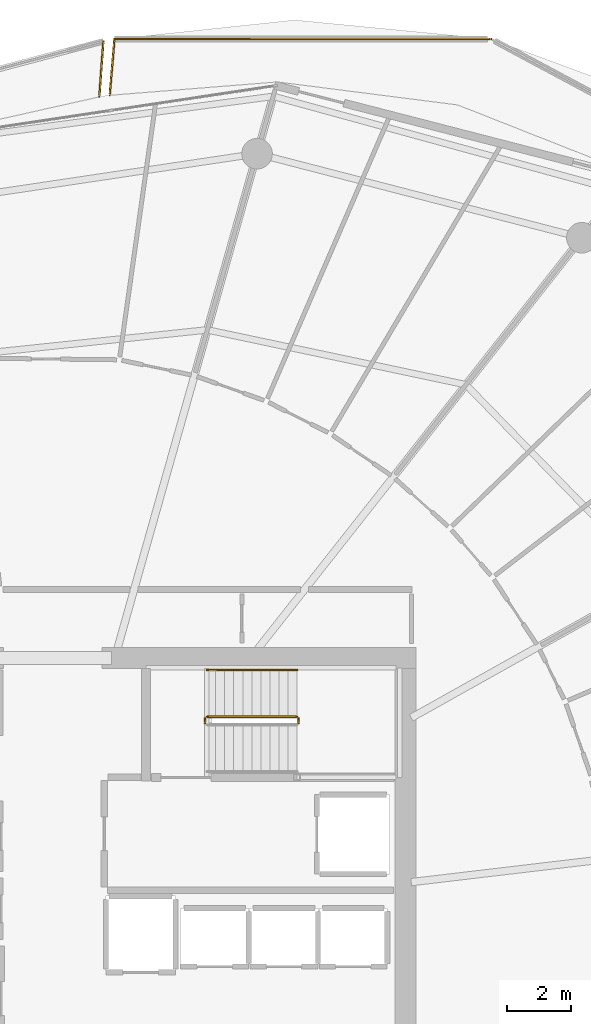
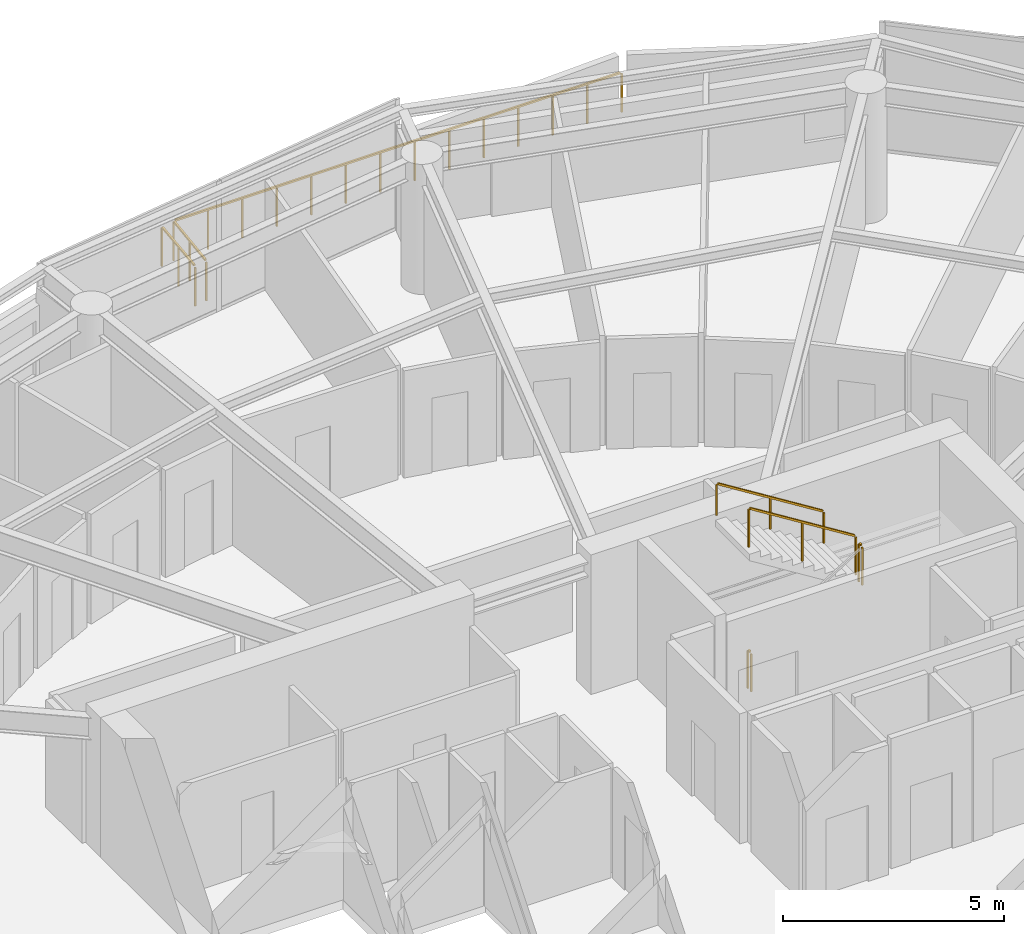
# One storey, part 29 of 30: 7 railings.
"""IFC4 building model written with IfcOpenShell, lengths in metres."""

from ifc_helpers import new_model, si_unit, direction, frame, origin, origin_2d, place, context, subcontext, project, spatial, rectangle, extrude, material, type_object, element, save


model = new_model("IFC4")

# Units and contexts
model_context = context("Model", 3, precision=1e-05, world=origin(), true_north=direction((0.0, 1.0)))
body_context = subcontext(model_context, "Body", "Model", "MODEL_VIEW")
ifc_project = project(units=[si_unit("LENGTHUNIT", "METRE"), si_unit("AREAUNIT", "SQUARE_METRE"), si_unit("VOLUMEUNIT", "CUBIC_METRE"), si_unit("PLANEANGLEUNIT", "RADIAN"), si_unit("MASSUNIT", "GRAM", prefix="KILO")], contexts=[model_context])

# Site, building, storey
site_placement = place(None, origin())
site = spatial("IfcSite", under=ifc_project, at=site_placement, CompositionType="ELEMENT")
building_placement = place(site_placement, origin())
building = spatial("IfcBuilding", under=site, at=building_placement, Name="Kazma Halo Residences", CompositionType="ELEMENT")
storey_placement = place(building_placement, frame((0.0, 0.0, 263.64990234375)))
storey = spatial("IfcBuildingStorey", under=building, at=storey_placement, Name="L66", CompositionType="ELEMENT", Elevation=263.64990234375)

# Railings
ifc_material_1 = material(Name="Aluminium AW-6063 T6 Brushed Cap Rail", Category="aluminium")
railing_type_1 = type_object("IfcRailingType", Name="RLG-BAL-CAP-1120", PredefinedType="BALUSTRADE", material=ifc_material_1)
railing_1_placement = place(storey_placement, frame((62.033447265625, 69.5419921875, 0.0)))
element("IfcRailing", 1, at=railing_1_placement, inside=storey, type_object=railing_type_1, Name="L66 NE wave balcony guard 3", PredefinedType="BALUSTRADE", context=body_context, shape_type="SweptSolid", body=[
    extrude(rectangle(XDim=0.050048828125, YDim=0.050048828125, at=origin_2d()), frame((-0.04248046875, 0.0, 1.09521484375), z_axis=(-0.999999921363, -0.000396576884, 0.0), x_axis=(0.000396576884, -0.999999921363, 0.0)), (0.0, 0.0, 1.0), 11.61181640625),
    extrude(rectangle(XDim=0.0400390625, YDim=0.0400390625, at=origin_2d()), origin(), (0.0, 0.0, 1.0), 1.05810546875),
    extrude(rectangle(XDim=0.0400390625, YDim=0.0400390625, at=origin_2d()), frame((-0.899658203125, -0.000244140625, 0.0)), (0.0, 0.0, 1.0), 1.05810546875),
    extrude(rectangle(XDim=0.0400390625, YDim=0.0400390625, at=origin_2d()), frame((-1.799560546875, -0.000732421875, 0.0)), (0.0, 0.0, 1.0), 1.05810546875),
    extrude(rectangle(XDim=0.0400390625, YDim=0.0400390625, at=origin_2d()), frame((-2.69921875, -0.0009765625, 0.0)), (0.0, 0.0, 1.0), 1.05810546875),
    extrude(rectangle(XDim=0.0400390625, YDim=0.0400390625, at=origin_2d()), frame((-3.59912109375, -0.00146484375, 0.0)), (0.0, 0.0, 1.0), 1.05810546875),
    extrude(rectangle(XDim=0.0400390625, YDim=0.0400390625, at=origin_2d()), frame((-4.498779296875, -0.001708984375, 0.0)), (0.0, 0.0, 1.0), 1.05810546875),
    extrude(rectangle(XDim=0.0400390625, YDim=0.0400390625, at=origin_2d()), frame((-5.3984375, -0.002197265625, 0.0)), (0.0, 0.0, 1.0), 1.05810546875),
    extrude(rectangle(XDim=0.0400390625, YDim=0.0400390625, at=origin_2d()), frame((-6.29833984375, -0.00244140625, 0.0)), (0.0, 0.0, 1.0), 1.05810546875),
    extrude(rectangle(XDim=0.0400390625, YDim=0.0400390625, at=origin_2d()), frame((-7.197998046875, -0.0029296875, 0.0)), (0.0, 0.0, 1.0), 1.05810546875),
    extrude(rectangle(XDim=0.0400390625, YDim=0.0400390625, at=origin_2d()), frame((-8.09765625, -0.003173828125, 0.0)), (0.0, 0.0, 1.0), 1.05810546875),
    extrude(rectangle(XDim=0.0400390625, YDim=0.0400390625, at=origin_2d()), frame((-8.99755859375, -0.003662109375, 0.0)), (0.0, 0.0, 1.0), 1.05810546875),
    extrude(rectangle(XDim=0.0400390625, YDim=0.0400390625, at=origin_2d()), frame((-9.897216796875, -0.00390625, 0.0)), (0.0, 0.0, 1.0), 1.05810546875),
    extrude(rectangle(XDim=0.0400390625, YDim=0.0400390625, at=origin_2d()), frame((-10.797119140625, -0.00439453125, 0.0)), (0.0, 0.0, 1.0), 1.05810546875),
    extrude(rectangle(XDim=0.0400390625, YDim=0.0400390625, at=origin_2d()), frame((-11.69677734375, -0.004638671875, 0.0)), (0.0, 0.0, 1.0), 1.05810546875),
])
railing_2_placement = place(storey_placement, frame((50.336669921875, 69.537353515625, 0.0)))
element("IfcRailing", 2, at=railing_2_placement, inside=storey, type_object=railing_type_1, Name="L66 NE wave balcony guard 4", PredefinedType="BALUSTRADE", context=body_context, shape_type="SweptSolid", body=[
    extrude(rectangle(XDim=0.050048828125, YDim=0.050048828125, at=origin_2d()), frame((-0.003662109375, -0.04248046875, 1.09521484375), z_axis=(-0.084569892868, -0.996417549635, 0.0), x_axis=(0.996417549635, -0.084569892868, 0.0)), (0.0, 0.0, 1.0), 1.664306640625),
    extrude(rectangle(XDim=0.0400390625, YDim=0.0400390625, at=origin_2d()), origin(), (0.0, 0.0, 1.0), 1.05810546875),
    extrude(rectangle(XDim=0.0400390625, YDim=0.0400390625, at=origin_2d()), frame((-0.073974609375, -0.87158203125, 0.0)), (0.0, 0.0, 1.0), 1.05810546875),
    extrude(rectangle(XDim=0.0400390625, YDim=0.0400390625, at=origin_2d()), frame((-0.14794921875, -1.7431640625, 0.0)), (0.0, 0.0, 1.0), 1.05810546875),
])
railing_3_placement = place(storey_placement, frame((49.8681640625, 67.74609375, 0.0)))
element("IfcRailing", 3, at=railing_3_placement, inside=storey, type_object=railing_type_1, Name="L66 NNW wave balcony guard 1", PredefinedType="BALUSTRADE", context=body_context, shape_type="SweptSolid", body=[
    extrude(rectangle(XDim=0.050048828125, YDim=0.050048828125, at=origin_2d()), frame((0.003173828125, 0.04248046875, 1.09521484375), z_axis=(0.072349491269, 0.997379341631, 0.0), x_axis=(-0.997379341631, 0.072349491269, 0.0)), (0.0, 0.0, 1.0), 1.64599609375),
    extrude(rectangle(XDim=0.0400390625, YDim=0.0400390625, at=origin_2d()), origin(), (0.0, 0.0, 1.0), 1.05810546875),
    extrude(rectangle(XDim=0.0400390625, YDim=0.0400390625, at=origin_2d()), frame((0.0625, 0.86328125, 0.0)), (0.0, 0.0, 1.0), 1.05810546875),
    extrude(rectangle(XDim=0.0400390625, YDim=0.0400390625, at=origin_2d()), frame((0.125244140625, 1.7265625, 0.0)), (0.0, 0.0, 1.0), 1.05810546875),
])
ifc_material_2 = material(Name="Painted Steel S355", Category="steel")
railing_type_2 = type_object("IfcRailingType", Name="RLG-STAIR-GRD-1100", PredefinedType="GUARDRAIL", material=ifc_material_2)
railing_4_placement = place(storey_placement, frame((56.050048828125, 48.300048828125, 1.925048828125)))
element("IfcRailing", 4, at=railing_4_placement, inside=storey, type_object=railing_type_2, Name="L66 ST-02 stair guard 2", PredefinedType="GUARDRAIL", context=body_context, shape_type="SweptSolid", body=[
    extrude(rectangle(XDim=0.050048828125, YDim=0.050048828125, at=origin_2d()), frame((0.0, 0.04248046875, 1.0751953125), z_axis=(0.0, 1.0, 0.0), x_axis=(-1.0, 0.0, 0.0)), (0.0, 0.0, 1.0), 0.06494140625),
    extrude(rectangle(XDim=0.0400390625, YDim=0.0400390625, at=origin_2d()), origin(), (0.0, 0.0, 1.0), 1.0380859375),
    extrude(rectangle(XDim=0.0400390625, YDim=0.0400390625, at=origin_2d()), frame((0.0, 0.14990234375, 0.0)), (0.0, 0.0, 1.0), 1.0380859375),
])
railing_5_placement = place(storey_placement, frame((56.0, 48.5, 2.10009765625)))
element("IfcRailing", 5, at=railing_5_placement, inside=storey, type_object=railing_type_2, Name="L66 ST-02 stair guard 3", PredefinedType="GUARDRAIL", context=body_context, shape_type="SweptSolid", body=[
    extrude(rectangle(XDim=0.050048828125, YDim=0.050048828125, at=origin_2d()), frame((-0.0361328125, 0.0, 1.09765625), z_axis=(-0.848002457836, 0.0, 0.529992293815), x_axis=(0.0, -1.0, 0.0)), (0.0, 0.0, 1.0), 3.216796875),
    extrude(rectangle(XDim=0.0400390625, YDim=0.0400390625, at=origin_2d()), origin(), (0.0, 0.0, 1.0), 1.0380859375),
    extrude(rectangle(XDim=0.0400390625, YDim=0.0400390625, at=origin_2d()), frame((-1.39990234375, 0.0, 0.875)), (0.0, 0.0, 1.0), 1.0380859375),
    extrude(rectangle(XDim=0.0400390625, YDim=0.0400390625, at=origin_2d()), frame((-2.800048828125, 0.0, 1.75)), (0.0, 0.0, 1.0), 1.0380859375),
])
railing_6_placement = place(storey_placement, frame((53.14990234375, 48.300048828125, 0.0)))
element("IfcRailing", 6, at=railing_6_placement, inside=storey, type_object=railing_type_2, Name="L66 ST-02 stair guard 4", PredefinedType="GUARDRAIL", context=body_context, shape_type="SweptSolid", body=[
    extrude(rectangle(XDim=0.050048828125, YDim=0.050048828125, at=origin_2d()), frame((0.0, 0.04248046875, 1.0751953125), z_axis=(0.0, 1.0, 0.0), x_axis=(-1.0, 0.0, 0.0)), (0.0, 0.0, 1.0), 0.06494140625),
    extrude(rectangle(XDim=0.0400390625, YDim=0.0400390625, at=origin_2d()), origin(), (0.0, 0.0, 1.0), 1.0380859375),
    extrude(rectangle(XDim=0.0400390625, YDim=0.0400390625, at=origin_2d()), frame((0.0, 0.14990234375, 0.0)), (0.0, 0.0, 1.0), 1.0380859375),
])
ifc_material_3 = material(Name="Brushed Stainless Steel", Category="steel")
railing_type_3 = type_object("IfcRailingType", Name="RLG-STAIR-HND-900", PredefinedType="HANDRAIL", material=ifc_material_3)
railing_7_placement = place(storey_placement, frame((56.0, 49.949951171875, 2.10009765625)))
element("IfcRailing", 7, at=railing_7_placement, inside=storey, type_object=railing_type_3, Name="L66 ST-02 stair handrail 2", PredefinedType="HANDRAIL", context=body_context, shape_type="SweptSolid", body=[
    extrude(rectangle(XDim=0.050048828125, YDim=0.050048828125, at=origin_2d()), frame((-0.0361328125, 0.0, 0.8974609375), z_axis=(-0.848002457836, 0.0, 0.529992293815), x_axis=(0.0, -1.0, 0.0)), (0.0, 0.0, 1.0), 3.216796875),
    extrude(rectangle(XDim=0.0400390625, YDim=0.0400390625, at=origin_2d()), origin(), (0.0, 0.0, 1.0), 0.837890625),
    extrude(rectangle(XDim=0.0400390625, YDim=0.0400390625, at=origin_2d()), frame((-1.39990234375, 0.0, 0.875)), (0.0, 0.0, 1.0), 0.837890625),
    extrude(rectangle(XDim=0.0400390625, YDim=0.0400390625, at=origin_2d()), frame((-2.800048828125, 0.0, 1.75)), (0.0, 0.0, 1.0), 0.837890625),
])

save(model, "model.ifc")
